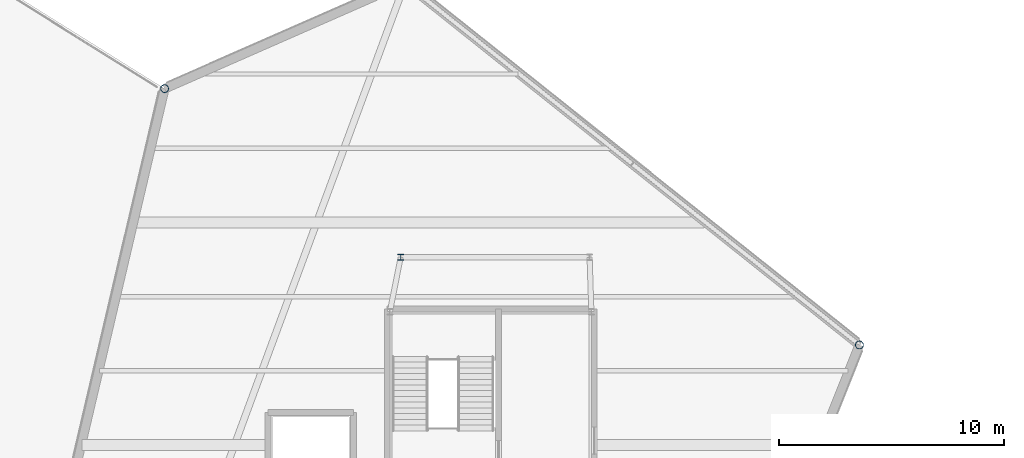
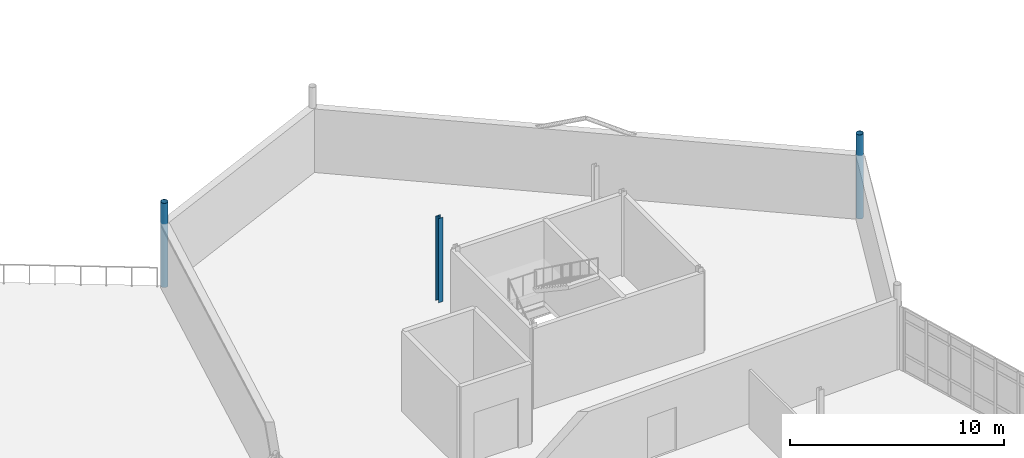
# One storey, part 12 of 114: 3 columns.
"""IFC4 building model written with IfcOpenShell, lengths in metres."""

import ifcopenshell
import ifcopenshell.guid

model = None  # the IFC model being written
_history = None  # IfcOwnerHistory: only IFC2X3 demands one
_inside = {}  # id of a spatial element -> (the spatial element, [elements in it])
_under = {}  # id of a project, library or spatial element -> (it, [spatial elements below it])
_declared = {}  # id of a project -> (the project, [libraries it declares])
_typed = {}  # id of a type object -> (the type object, [elements of that type])
_made_of = {}  # id of a material, layer set ... -> (it, [elements and type objects made of it])


def new_model(schema):
    """Start an empty IFC model of exactly this schema.

    Asked for "IFC4X3", IfcOpenShell would pick the latest addendum, in which some entities
    have other attributes; the version numbers below select the first issue.
    IFC2X3 requires an IfcOwnerHistory on every rooted entity: one is made here for all.
    """
    global model, _history
    if schema == "IFC4X3":
        model = ifcopenshell.file(schema_version=(4, 3, 0, 0))
    else:
        model = ifcopenshell.file(schema=schema)
    _inside.clear()
    _under.clear()
    _declared.clear()
    _typed.clear()
    _made_of.clear()
    _history = None
    if model.schema == "IFC2X3":
        org = make("IfcOrganization", Name="unknown")
        user = make(
            "IfcPersonAndOrganization",
            ThePerson=make("IfcPerson", FamilyName="unknown"),
            TheOrganization=org,
        )
        app = make(
            "IfcApplication",
            ApplicationDeveloper=org,
            Version="unknown",
            ApplicationFullName="unknown",
            ApplicationIdentifier="unknown",
        )
        _history = make(
            "IfcOwnerHistory",
            OwningUser=user,
            OwningApplication=app,
            ChangeAction="ADDED",
            CreationDate=0,
        )
    return model


def make(cls, **values):
    """One entity of the class cls with the attributes given. An attribute that is None is left unset."""
    return model.create_entity(
        cls, **{name: value for name, value in values.items() if value is not None}
    )


def rooted(cls, **values):
    """An entity with a GlobalId (a new one), such as an element, a storey or a relation."""
    return make(cls, GlobalId=ifcopenshell.guid.new(), OwnerHistory=_history, **values)


def si_unit(unit_type, name, prefix=None):
    """IfcSIUnit, for example si_unit("LENGTHUNIT", "METRE", prefix="MILLI")."""
    return make("IfcSIUnit", UnitType=unit_type, Prefix=prefix, Name=name)


def assignment(units):
    """IfcUnitAssignment: the units of a project."""
    return None if units is None else make("IfcUnitAssignment", Units=units)


def point(xyz):
    """IfcCartesianPoint."""
    return None if xyz is None else make("IfcCartesianPoint", Coordinates=xyz)


def direction(xyz):
    """IfcDirection."""
    return None if xyz is None else make("IfcDirection", DirectionRatios=xyz)


def frame(location, z_axis=None, x_axis=None):
    """IfcAxis2Placement3D, a coordinate frame: its origin and axes. An axis left out is left unset."""
    return make(
        "IfcAxis2Placement3D",
        Location=point(location),
        Axis=direction(z_axis),
        RefDirection=direction(x_axis),
    )


def frame_2d(location, x_axis=None):
    """IfcAxis2Placement2D, a coordinate frame in the plane: its origin and x axis."""
    return make(
        "IfcAxis2Placement2D", Location=point(location), RefDirection=direction(x_axis)
    )


def origin():
    """The frame at (0, 0, 0) with its axes left unset."""
    return frame((0.0, 0.0, 0.0))


def origin_2d():
    """The frame at (0, 0) in the plane with its x axis left unset."""
    return frame_2d((0.0, 0.0))


def place(relative_to, where):
    """IfcLocalPlacement: puts the frame where relative to a parent placement (None: the world)."""
    return make(
        "IfcLocalPlacement", PlacementRelTo=relative_to, RelativePlacement=where
    )


def context(
    kind, dimensions, precision=None, world=None, true_north=None, identifier=None
):
    """IfcGeometricRepresentationContext, for example the 3D "Model" context."""
    return make(
        "IfcGeometricRepresentationContext",
        ContextIdentifier=identifier,
        ContextType=kind,
        CoordinateSpaceDimension=dimensions,
        Precision=precision,
        WorldCoordinateSystem=world,
        TrueNorth=true_north,
    )


def subcontext(parent, identifier, kind, view, scale=None):
    """IfcGeometricRepresentationSubContext, for example "Body" below "Model"."""
    return make(
        "IfcGeometricRepresentationSubContext",
        ContextIdentifier=identifier,
        ContextType=kind,
        ParentContext=parent,
        TargetScale=scale,
        TargetView=view,
    )


def project(units=None, contexts=None):
    """IfcProject with its units and contexts."""
    return rooted(
        "IfcProject",
        Name="project",
        RepresentationContexts=contexts,
        UnitsInContext=assignment(units),
    )


def spatial(cls, under=None, at=None, **own):
    """A site, building, storey or space (cls), placed at a placement, below another one or the project."""
    s = rooted(cls, ObjectPlacement=at, **own)
    if under is not None:
        _under.setdefault(under.id(), (under, []))[1].append(s)
    return s


def profile(cls, at=None, kind="AREA", **sizes):
    """A parametric profile (cls). Its sizes go by their IFC names, for example OverallWidth=200.0."""
    return make(cls, ProfileType=kind, Position=at, **sizes)


def hollow_circle(**sizes):
    """IfcCircleHollowProfileDef."""
    return profile("IfcCircleHollowProfileDef", **sizes)


def i_section(**sizes):
    """IfcIShapeProfileDef."""
    return profile("IfcIShapeProfileDef", **sizes)


def extrude(swept, where, along, depth):
    """IfcExtrudedAreaSolid: the profile swept, set in the frame where, extruded along a direction by depth."""
    return make(
        "IfcExtrudedAreaSolid",
        SweptArea=swept,
        Position=where,
        ExtrudedDirection=direction(along),
        Depth=depth,
    )


def shape(context_of_items, identifier, shape_type, items):
    """IfcShapeRepresentation: the items that make up one representation, for example the "Body"."""
    return make(
        "IfcShapeRepresentation",
        ContextOfItems=context_of_items,
        RepresentationIdentifier=identifier,
        RepresentationType=shape_type,
        Items=items,
    )


def material(Name=None, Category=None):
    """IfcMaterial."""
    return make("IfcMaterial", Name=Name, Category=Category)


def material_profile(
    of_material, cross_section, Name=None, Category=None, Priority=None
):
    """IfcMaterialProfile: a cross section and its material."""
    return make(
        "IfcMaterialProfile",
        Name=Name,
        Material=of_material,
        Profile=cross_section,
        Priority=Priority,
        Category=Category,
    )


def profile_set(profiles, Name=None, composite=None):
    """IfcMaterialProfileSet."""
    return make(
        "IfcMaterialProfileSet",
        Name=Name,
        MaterialProfiles=profiles,
        CompositeProfile=composite,
    )


def made_of(thing, what):
    """Note that an element or type object is made of a material, layer set ...; save() writes the relation."""
    if what is not None:
        _made_of.setdefault(what.id(), (what, []))[1].append(thing)
    return thing


def type_object(cls, material=None, **own):
    """A type object (cls), such as IfcWallType, which elements share."""
    return made_of(rooted(cls, **own), material)


def element(
    cls,
    number,
    at=None,
    inside=None,
    cuts=None,
    type_object=None,
    material=None,
    context=None,
    identifier="Body",
    shape_type=None,
    held_by="IfcProductDefinitionShape",
    body=None,
    shapes=None,
    **own,
):
    """One element of the class cls, such as IfcWall. Its Tag is "e" and its number.

    at: its placement. inside: the storey or other place that contains it. cuts: it is an
    opening in that element (IfcRelVoidsElement). A single representation is given by context,
    identifier, shape_type and body (its items); several are given by shapes. held_by: the class
    of the entity that holds the representations. save() writes the other relations.
    """
    e = rooted(cls, Tag="e%d" % number, ObjectPlacement=at, **own)
    if body is not None:
        shapes = [shape(context, identifier, shape_type, body)]
    if shapes is not None:
        e.Representation = make(held_by, Representations=shapes)
    if inside is not None:
        _inside.setdefault(inside.id(), (inside, []))[1].append(e)
    if cuts is not None:
        rooted(
            "IfcRelVoidsElement", RelatingBuildingElement=cuts, RelatedOpeningElement=e
        )
    if type_object is not None:
        _typed.setdefault(type_object.id(), (type_object, []))[1].append(e)
    return made_of(e, material)


def aggregate(whole, parts):
    """IfcRelAggregates: a whole, such as a stair, and the parts it consists of."""
    return rooted("IfcRelAggregates", RelatingObject=whole, RelatedObjects=parts)


def save(model, path):
    """Write the relations noted so far, then the file.

    IfcRelAggregates (storeys below a building ...), IfcRelContainedInSpatialStructure (elements
    in a storey), IfcRelDefinesByType, IfcRelAssociatesMaterial and IfcRelDeclares: one each for
    every whole, place, type object, material and project.
    """
    for whole, parts in _under.values():
        aggregate(whole, parts)
    for where, things in _inside.values():
        rooted(
            "IfcRelContainedInSpatialStructure",
            RelatedElements=things,
            RelatingStructure=where,
        )
    for kind, things in _typed.values():
        rooted("IfcRelDefinesByType", RelatedObjects=things, RelatingType=kind)
    for what, things in _made_of.values():
        rooted("IfcRelAssociatesMaterial", RelatedObjects=things, RelatingMaterial=what)
    for by, libraries in _declared.values():
        rooted("IfcRelDeclares", RelatingContext=by, RelatedDefinitions=libraries)
    model.write(path)


model = new_model("IFC4")

# Units and contexts
model_context = context("Model", 3, precision=1e-05, world=origin(), true_north=direction((0.0, 1.0)))
body_context = subcontext(model_context, "Body", "Model", "MODEL_VIEW")
ifc_project = project(units=[si_unit("LENGTHUNIT", "METRE"), si_unit("AREAUNIT", "SQUARE_METRE"), si_unit("VOLUMEUNIT", "CUBIC_METRE"), si_unit("PLANEANGLEUNIT", "RADIAN"), si_unit("MASSUNIT", "GRAM", prefix="KILO")], contexts=[model_context])

# Site, building, storey
site_placement = place(None, origin())
site = spatial("IfcSite", under=ifc_project, at=site_placement, CompositionType="ELEMENT")
building_placement = place(site_placement, origin())
building = spatial("IfcBuilding", under=site, at=building_placement, Name="Tameran Prism Museum", CompositionType="ELEMENT")
storey_placement = place(building_placement, frame((0.0, 0.0, 10.199951171875)))
storey = spatial("IfcBuildingStorey", under=building, at=storey_placement, Name="L02", CompositionType="ELEMENT", Elevation=10.199951171875)

# Columns
ifc_material_1 = material(Name="Steel Grade C350L0 (350 MPa)", Category="steel")
ifc_material_profile_1 = material_profile(ifc_material_1, hollow_circle(Radius=0.177734375, WallThickness=0.0126953125, at=origin_2d()))
ifc_profile_set_1 = profile_set([ifc_material_profile_1])
column_type_1 = type_object("IfcColumnType", Name="COL-CHS355", PredefinedType="COLUMN", material=ifc_profile_set_1)
for number, where, z_axis, x_axis, name in (
    (1, (31.5, 105.5, 0.0), (0.0, 0.0, 1.0), (1.0, 0.0, 0.0), "Column CV-19 L02"),
    (2, (62.39990234375, 94.10009765625, 0.0), (0.0, 0.0, 1.0), (1.0, 0.0, 0.0), "Column CV-31 L02"),
):
    element("IfcColumn", number, at=place(storey_placement, frame(where, z_axis=z_axis, x_axis=x_axis)), inside=storey, type_object=column_type_1, Name=name, PredefinedType="COLUMN", context=body_context, shape_type="SweptSolid", body=[
        extrude(hollow_circle(Radius=0.177734375, WallThickness=0.0126953125, at=origin_2d()), origin(), (0.0, 0.0, 1.0), 4.800048828125),
    ])
ifc_material_2 = material(Name="Steel Grade 300PLUS (300 MPa)", Category="steel")
ifc_material_profile_2 = material_profile(ifc_material_2, i_section(OverallWidth=0.25390625, OverallDepth=0.25390625, WebThickness=0.008544921875, FlangeThickness=0.01416015625, FilletRadius=0.0126953125, at=origin_2d()))
ifc_profile_set_2 = profile_set([ifc_material_profile_2])
column_type_2 = type_object("IfcColumnType", Name="COL-UC250B", PredefinedType="COLUMN", material=ifc_profile_set_2)
column_placement = place(storey_placement, frame((42.0, 98.0, 0.0), z_axis=(0.0, 0.0, 1.0), x_axis=(1.0, 0.0, 0.0)))
element("IfcColumn", 3, at=column_placement, inside=storey, type_object=column_type_2, Name="Column CI-03 L02", PredefinedType="COLUMN", context=body_context, shape_type="SweptSolid", body=[
    extrude(i_section(OverallWidth=0.25390625, OverallDepth=0.25390625, WebThickness=0.008544921875, FlangeThickness=0.01416015625, FilletRadius=0.0126953125, at=origin_2d()), origin(), (0.0, 0.0, 1.0), 4.800048828125),
])

save(model, "model.ifc")
